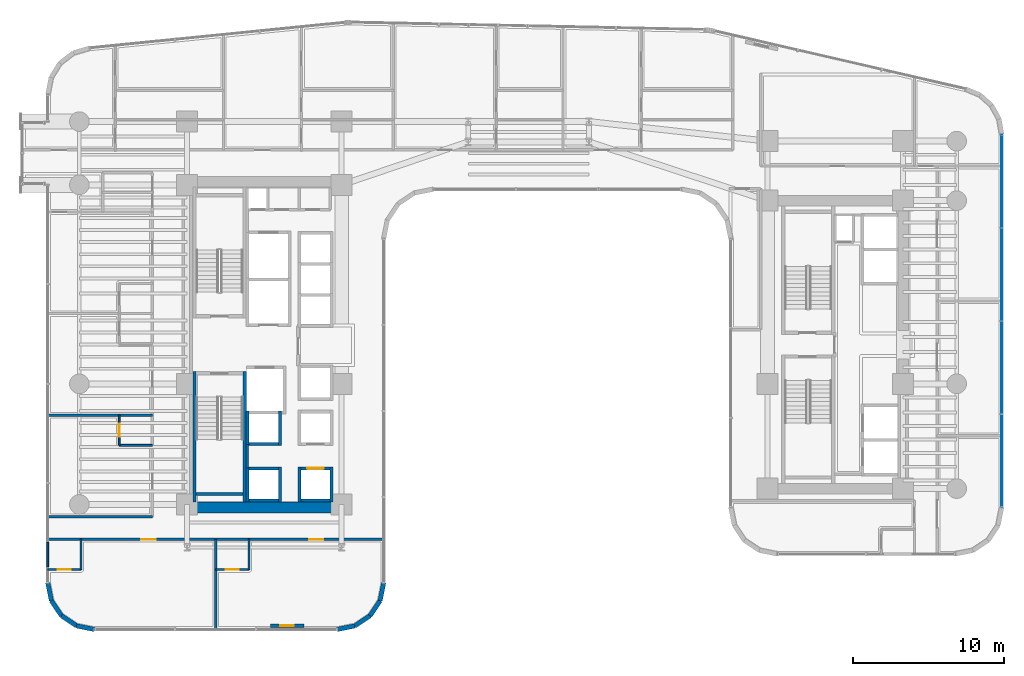
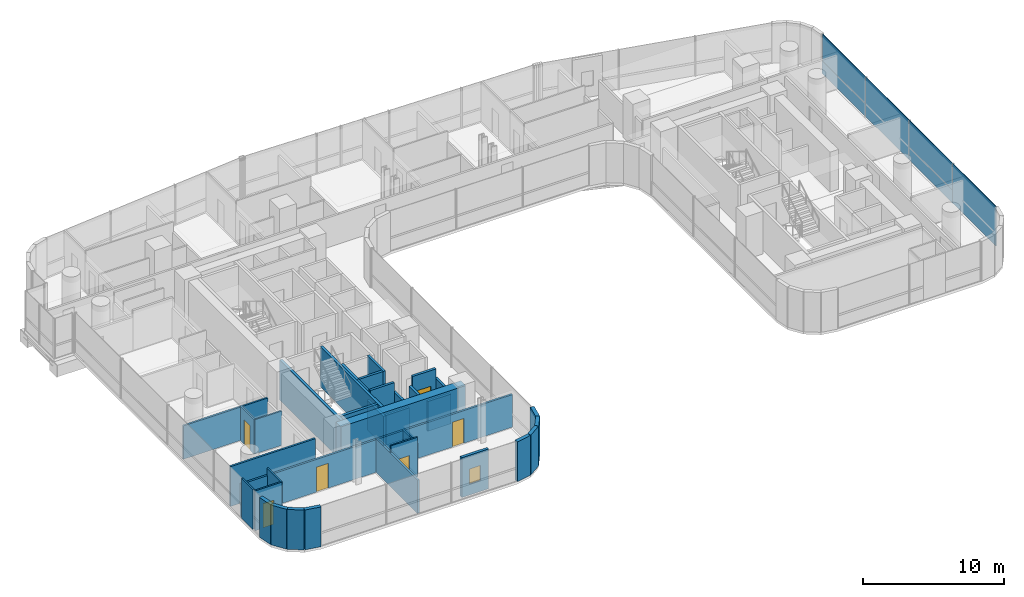
# One storey, part 31 of 42: 36 walls, 6 doors, 6 plates, 1 window, 7 openings, 1 element without a shape of its own.
"""IFC4 building model written with IfcOpenShell, lengths in metres."""

from ifc_helpers import new_model, si_unit, direction, frame, frame_2d, origin, origin_2d, place, context, subcontext, project, spatial, rectangle, extrude, source, transform, mapped, material, layer, layer_set, type_object, element, fill, aggregate, save


model = new_model("IFC4")

# Units and contexts
model_context = context("Model", 3, precision=1e-05, world=origin(), true_north=direction((0.0, 1.0)))
body_context = subcontext(model_context, "Body", "Model", "MODEL_VIEW")
ifc_project = project(units=[si_unit("LENGTHUNIT", "METRE"), si_unit("AREAUNIT", "SQUARE_METRE"), si_unit("VOLUMEUNIT", "CUBIC_METRE"), si_unit("PLANEANGLEUNIT", "RADIAN"), si_unit("MASSUNIT", "GRAM", prefix="KILO")], contexts=[model_context])

# Site, building, storey
site_placement = place(None, origin())
site = spatial("IfcSite", under=ifc_project, at=site_placement, CompositionType="ELEMENT")
building_placement = place(site_placement, origin())
building = spatial("IfcBuilding", under=site, at=building_placement, Name="Valdorenza Pilgrim Sanctuary Tower", CompositionType="ELEMENT")
storey_placement = place(building_placement, frame((0.0, 0.0, 55.60009765625)))
storey = spatial("IfcBuildingStorey", under=building, at=storey_placement, Name="L13", CompositionType="ELEMENT", Elevation=55.60009765625)

# Curtain wall, plates
ifc_material_1 = material(Name="Curtain-wall IGU glazing", Category="glass")
curtain_wall_type = type_object("IfcCurtainWallType", Name="CW-SYS-03", PredefinedType="NOTDEFINED", material=ifc_material_1)
curtain_wall_placement = place(storey_placement, origin())
curtain_wall = element("IfcCurtainWall", 1, at=curtain_wall_placement, inside=storey, type_object=curtain_wall_type, Name="L13 Curtain Wall CW-L13-1-21", PredefinedType="NOTDEFINED")
ifc_material_2 = material(Name="Honed travertine limestone", Category="masonry")
ifc_layer_1 = layer(ifc_material_2, 0.050048828125, Name="Honed travertine limestone")
ifc_layer_set_1 = layer_set([ifc_layer_1], Name="Honed travertine limestone")
plate_type_1 = type_object("IfcPlateType", Name="CW-SPN-TRV", PredefinedType="USERDEFINED", material=ifc_layer_set_1)
shared_shape_1 = source(origin(), body_context, "Body", "SweptSolid", [
    extrude(rectangle(XDim=6.16357421875, YDim=0.06005859375, at=origin_2d()), origin(), (0.0, 0.0, 1.0), 1.10009765625),
])
plate_1_placement = place(storey_placement, frame((31.389892578125, 10.853271484375, 0.009765625), z_axis=(0.0, 0.0, 1.0), x_axis=(0.0, -1.0, 0.0)))
plate_1 = element("IfcPlate", 2, at=plate_1_placement, type_object=plate_type_1, Name="CW-L13-1-21 Travertine Spandrel 1", ObjectType="SPANDREL", PredefinedType="USERDEFINED", context=body_context, shape_type="MappedRepresentation", body=[
    mapped(shared_shape_1, transform((0.0, 0.0, 0.0), x_axis=(1.0, 0.0, 0.0), y_axis=(0.0, 1.0, 0.0), z_axis=(0.0, 0.0, 1.0), scale=1.0)),
])
plate_2_placement = place(storey_placement, frame((31.389892578125, -1.513916015625, 0.009765625), z_axis=(0.0, 0.0, 1.0), x_axis=(0.0, -1.0, 0.0)))
plate_2 = element("IfcPlate", 3, at=plate_2_placement, type_object=plate_type_1, Name="CW-L13-1-21 Travertine Spandrel 3", ObjectType="SPANDREL", PredefinedType="USERDEFINED", context=body_context, shape_type="MappedRepresentation", body=[
    mapped(shared_shape_1, transform((0.0, 0.0, 0.0), x_axis=(1.0, 0.0, 0.0), y_axis=(0.0, 1.0, 0.0), z_axis=(0.0, 0.0, 1.0), scale=1.0)),
])
ifc_material_3 = material(Name="Ceramic-fritted low-E IGU glazing", Category="glass")
ifc_layer_2 = layer(ifc_material_3, 0.035888671875, Name="Ceramic-fritted low-E IGU glazing")
ifc_layer_set_2 = layer_set([ifc_layer_2], Name="Ceramic-fritted low-E IGU glazing")
plate_type_2 = type_object("IfcPlateType", Name="CW-GLZ-IGU", PredefinedType="USERDEFINED", material=ifc_layer_set_2)
shared_shape_2 = source(origin(), body_context, "Body", "SweptSolid", [
    extrude(rectangle(XDim=6.16357421875, YDim=0.050048828125, at=origin_2d()), origin(), (0.0, 0.0, 1.0), 2.320068359375),
])
plate_3_placement = place(storey_placement, frame((31.389892578125, 10.853271484375, 1.1298828125), z_axis=(0.0, 0.0, 1.0), x_axis=(0.0, -1.0, 0.0)))
plate_3 = element("IfcPlate", 4, at=plate_3_placement, type_object=plate_type_2, Name="CW-L13-1-21 Facade Panel 1", ObjectType="GLAZING", PredefinedType="USERDEFINED", context=body_context, shape_type="MappedRepresentation", body=[
    mapped(shared_shape_2, transform((0.0, 0.0, 0.0), x_axis=(1.0, 0.0, 0.0), y_axis=(0.0, 1.0, 0.0), z_axis=(0.0, 0.0, 1.0), scale=1.0)),
])
plate_4_placement = place(storey_placement, frame((31.389892578125, -1.513916015625, 1.1298828125), z_axis=(0.0, 0.0, 1.0), x_axis=(0.0, -1.0, 0.0)))
plate_4 = element("IfcPlate", 5, at=plate_4_placement, type_object=plate_type_2, Name="CW-L13-1-21 Facade Panel 3", ObjectType="GLAZING", PredefinedType="USERDEFINED", context=body_context, shape_type="MappedRepresentation", body=[
    mapped(shared_shape_2, transform((0.0, 0.0, 0.0), x_axis=(1.0, 0.0, 0.0), y_axis=(0.0, 1.0, 0.0), z_axis=(0.0, 0.0, 1.0), scale=1.0)),
])
shared_shape_3 = source(origin(), body_context, "Body", "SweptSolid", [
    extrude(rectangle(XDim=6.16357421875, YDim=0.050048828125, at=origin_2d()), origin(), (0.0, 0.0, 1.0), 3.43994140625),
])
plate_5_placement = place(storey_placement, frame((31.389892578125, 4.669677734375, 0.010009765625), z_axis=(0.0, 0.0, 1.0), x_axis=(0.0, -1.0, 0.0)))
plate_5 = element("IfcPlate", 6, at=plate_5_placement, type_object=plate_type_2, Name="CW-L13-1-21 Full-Height Facade Panel 2", ObjectType="GLAZING", PredefinedType="USERDEFINED", context=body_context, shape_type="MappedRepresentation", body=[
    mapped(shared_shape_3, transform((0.0, 0.0, 0.0), x_axis=(1.0, 0.0, 0.0), y_axis=(0.0, 1.0, 0.0), z_axis=(0.0, 0.0, 1.0), scale=1.0)),
])
plate_6_placement = place(storey_placement, frame((31.389892578125, -7.697509765625, 0.010009765625), z_axis=(0.0, 0.0, 1.0), x_axis=(0.0, -1.0, 0.0)))
plate_6 = element("IfcPlate", 7, at=plate_6_placement, type_object=plate_type_2, Name="CW-L13-1-21 Full-Height Facade Panel 4", ObjectType="GLAZING", PredefinedType="USERDEFINED", context=body_context, shape_type="MappedRepresentation", body=[
    mapped(shared_shape_3, transform((0.0, 0.0, 0.0), x_axis=(1.0, 0.0, 0.0), y_axis=(0.0, 1.0, 0.0), z_axis=(0.0, 0.0, 1.0), scale=1.0)),
])
aggregate(curtain_wall, [plate_1, plate_3, plate_5, plate_2, plate_4, plate_6])

# Wall
ifc_material_4 = material(Name="Acoustic twin-stud gypsum partition", Category="gypsum")
ifc_layer_3 = layer(ifc_material_4, 0.159912109375, Name="Acoustic twin-stud gypsum partition")
ifc_layer_set_3 = layer_set([ifc_layer_3], Name="Acoustic twin-stud gypsum partition")
wall_type_1 = type_object("IfcWallType", Name="WAL-COR-160", PredefinedType="PARTITIONING", material=ifc_layer_set_3)
wall_1_placement = place(storey_placement, frame((-18.64990234375, -8.179931640625, 0.0), z_axis=(0.0, 0.0, 1.0), x_axis=(0.0, 1.0, 0.0)))
element("IfcWall", 8, at=wall_1_placement, inside=storey, type_object=wall_type_1, Name="L13 Core A South Lift Hall West Wall", PredefinedType="PARTITIONING", context=body_context, shape_type="SweptSolid", body=[
    extrude(rectangle(XDim=1.559814453125, YDim=0.159912109375, at=frame_2d((0.77978515625, 0.0))), origin(), (0.0, 0.0, 1.0), 3.4599609375),
])

# Wall, openings, doors
wall_2_placement = place(storey_placement, frame((-31.889892578125, -12.919921875, 0.0), z_axis=(0.0, 0.0, 1.0), x_axis=(1.0, 0.0, 0.0)))
wall_2 = element("IfcWall", 9, at=wall_2_placement, inside=storey, type_object=wall_type_1, Name="L13 South Wing Corridor Wall", PredefinedType="PARTITIONING", context=body_context, shape_type="SweptSolid", body=[
    extrude(rectangle(XDim=22.27978515625, YDim=0.159912109375, at=frame_2d((11.139892578125, 0.0))), origin(), (0.0, 0.0, 1.0), 2.833984375),
])
opening_1_placement = place(wall_2_placement, frame((6.195068359375, 0.0, 0.0)))
opening_1 = element("IfcOpeningElement", 10, at=opening_1_placement, cuts=wall_2, Name="Opening DR-UN1", PredefinedType="OPENING", context=body_context, shape_type="SweptSolid", body=[
    extrude(rectangle(XDim=0.949951171875, YDim=2.14990234375, at=frame_2d((0.47509765625, 1.074951171875))), frame((0.0, 0.0947265625, 0.0), z_axis=(0.0, -1.0, 0.0), x_axis=(1.0, 0.0, 0.0)), (0.0, 0.0, 1.0), 0.189697265625),
])
opening_2_placement = place(wall_2_placement, frame((17.3349609375, 0.0, 0.0)))
opening_2 = element("IfcOpeningElement", 11, at=opening_2_placement, cuts=wall_2, Name="Opening DR-UN1", PredefinedType="OPENING", context=body_context, shape_type="SweptSolid", body=[
    extrude(rectangle(XDim=0.949951171875, YDim=2.14990234375, at=frame_2d((0.47509765625, 1.074951171875))), frame((0.0, 0.0947265625, 0.0), z_axis=(0.0, -1.0, 0.0), x_axis=(1.0, 0.0, 0.0)), (0.0, 0.0, 1.0), 0.189697265625),
])
ifc_material_5 = material(Name="Solid-core European oak timber", Category="wood")
door_type_1 = type_object("IfcDoorType", Name="DR-UNIT-950", OperationType="NOTDEFINED", PredefinedType="DOOR", material=ifc_material_5)
door_1_placement = place(opening_1_placement, frame((0.949951171875, 0.0, 0.0), z_axis=(0.0, 0.0, 1.0), x_axis=(-1.0, 0.0, 0.0)))
door_1 = element("IfcDoor", 12, at=door_1_placement, inside=storey, type_object=door_type_1, Name="L13 South Sanctuary Guest Room L13-S1A Entrance Door", OperationType="SINGLE_SWING_LEFT", OverallHeight=2.14990234375, OverallWidth=0.949951171875, PredefinedType="DOOR", context=body_context, shape_type="SweptSolid", body=[
    extrude(rectangle(XDim=0.949951171875, YDim=2.14990234375, at=frame_2d((0.47509765625, 1.074951171875))), frame((0.0, 0.02490234375, 0.0), z_axis=(0.0, -1.0, 0.0), x_axis=(1.0, 0.0, 0.0)), (0.0, 0.0, 1.0), 0.050048828125),
])
fill(opening_1, door_1)
door_2_placement = place(opening_2_placement, frame((0.949951171875, 0.0, 0.0), z_axis=(0.0, 0.0, 1.0), x_axis=(-1.0, 0.0, 0.0)))
door_2 = element("IfcDoor", 13, at=door_2_placement, inside=storey, type_object=door_type_1, Name="L13 South Sanctuary Guest Room L13-S1B Entrance Door", OperationType="SINGLE_SWING_LEFT", OverallHeight=2.14990234375, OverallWidth=0.949951171875, PredefinedType="DOOR", context=body_context, shape_type="SweptSolid", body=[
    extrude(rectangle(XDim=0.949951171875, YDim=2.14990234375, at=frame_2d((0.47509765625, 1.074951171875))), frame((0.0, 0.02490234375, 0.0), z_axis=(0.0, -1.0, 0.0), x_axis=(1.0, 0.0, 0.0)), (0.0, 0.0, 1.0), 0.050048828125),
])
fill(opening_2, door_2)

# Walls
wall_3_placement = place(storey_placement, frame((-31.889892578125, -11.419921875, 0.0), z_axis=(0.0, 0.0, 1.0), x_axis=(1.0, 0.0, 0.0)))
element("IfcWall", 14, at=wall_3_placement, inside=storey, type_object=wall_type_1, Name="L13 South-West Corridor North Wall", PredefinedType="PARTITIONING", context=body_context, shape_type="SweptSolid", body=[
    extrude(rectangle(XDim=6.93994140625, YDim=0.159912109375, at=frame_2d((3.469970703125, 0.0))), origin(), (0.0, 0.0, 1.0), 3.4599609375),
])
ifc_material_6 = material(Name="Concrete C60/75", Category="concrete")
ifc_layer_4 = layer(ifc_material_6, 0.699951171875, Name="Concrete C60/75")
ifc_layer_set_4 = layer_set([ifc_layer_4], Name="Concrete C60/75")
wall_type_2 = type_object("IfcWallType", Name="WAL-COR-700", PredefinedType="SHEAR", material=ifc_layer_set_4)
wall_4_placement = place(storey_placement, frame((-22.64990234375, -10.800048828125, 0.0), z_axis=(0.0, 0.0, 1.0), x_axis=(1.0, 0.0, 0.0)))
element("IfcWall", 15, at=wall_4_placement, inside=storey, type_object=wall_type_2, Name="L13 Split Core A Shear Wall S", PredefinedType="SHEAR", context=body_context, shape_type="SweptSolid", body=[
    extrude(rectangle(XDim=10.25, YDim=0.699951171875, at=frame_2d((5.125, 0.0))), origin(), (0.0, 0.0, 1.0), 3.4599609375),
])
ifc_layer_5 = layer(ifc_material_2, 0.300048828125, Name="Honed travertine limestone")
ifc_layer_set_5 = layer_set([ifc_layer_5], Name="Honed travertine limestone")
wall_type_3 = type_object("IfcWallType", Name="WAL-EXT-300", PredefinedType="SOLIDWALL", material=ifc_layer_set_5)
wall_5_placement = place(storey_placement, frame((-9.610107421875, -15.789306640625, 0.0), z_axis=(0.0, 0.0, 1.0), x_axis=(-0.194996050505, -0.980804027463, 0.0)))
element("IfcWall", 16, at=wall_5_placement, inside=storey, type_object=wall_type_3, Name="L13 Rounded Wind-Corner Stone Pier 42", PredefinedType="SOLIDWALL", context=body_context, shape_type="SweptSolid", body=[
    extrude(rectangle(XDim=1.2158203125, YDim=0.300048828125, at=frame_2d((0.60791015625, 0.0))), origin(), (0.0, 0.0, 1.0), 3.4599609375),
])
for number, where, z_axis, x_axis, name in (
    (17, (-9.84716796875, -16.981689453125, 0.0), (0.0, 0.0, 1.0), (-0.555635100982, -0.831426265255, 0.0), "L13 Rounded Wind-Corner Stone Pier 43"),
    (18, (-10.5166015625, -17.9833984375, 0.0), (0.0, 0.0, 1.0), (-0.831426265255, -0.555635100982, 0.0), "L13 Rounded Wind-Corner Stone Pier 44"),
):
    element("IfcWall", number, at=place(storey_placement, frame(where, z_axis=z_axis, x_axis=x_axis)), inside=storey, type_object=wall_type_3, Name=name, PredefinedType="SOLIDWALL", context=body_context, shape_type="SweptSolid", body=[
        extrude(rectangle(XDim=1.204833984375, YDim=0.300048828125, at=frame_2d((0.6025390625, 0.0))), origin(), (0.0, 0.0, 1.0), 3.4599609375),
    ])
wall_6_placement = place(storey_placement, frame((-11.518310546875, -18.65283203125, 0.0), z_axis=(0.0, 0.0, 1.0), x_axis=(-0.980804027463, -0.194996050505, 0.0)))
element("IfcWall", 19, at=wall_6_placement, inside=storey, type_object=wall_type_3, Name="L13 Rounded Wind-Corner Stone Pier 45", PredefinedType="SOLIDWALL", context=body_context, shape_type="SweptSolid", body=[
    extrude(rectangle(XDim=1.2158203125, YDim=0.300048828125, at=frame_2d((0.60791015625, 0.0))), origin(), (0.0, 0.0, 1.0), 3.4599609375),
])

# Wall, opening, window
wall_7_placement = place(storey_placement, frame((-14.910888671875, -18.64990234375, 0.0), z_axis=(0.0, 0.0, 1.0), x_axis=(-1.0, 0.0, 0.0)))
wall_7 = element("IfcWall", 20, at=wall_7_placement, inside=storey, type_object=wall_type_3, Name="L13 Operable Ventilation Sash Jamb Pier", PredefinedType="SOLIDWALL", context=body_context, shape_type="SweptSolid", body=[
    extrude(rectangle(XDim=2.199951171875, YDim=0.219970703125, at=frame_2d((1.10009765625, 0.0))), origin(), (0.0, 0.0, 1.0), 3.4599609375),
])
opening_3_placement = place(wall_7_placement, frame((0.64990234375, 0.0, 0.949951171875)))
opening_3 = element("IfcOpeningElement", 21, at=opening_3_placement, cuts=wall_7, Name="Opening WN-OP1", PredefinedType="OPENING", context=body_context, shape_type="SweptSolid", body=[
    extrude(rectangle(XDim=0.89990234375, YDim=1.300048828125, at=frame_2d((0.449951171875, 0.64990234375))), frame((0.0, 0.125, 0.0), z_axis=(0.0, -1.0, 0.0), x_axis=(1.0, 0.0, 0.0)), (0.0, 0.0, 1.0), 0.249755859375),
])
window_type = type_object("IfcWindowType", Name="WIN-OPN-900", PartitioningType="SINGLE_PANEL", PredefinedType="WINDOW", material=ifc_material_3)
window_placement = place(opening_3_placement, origin())
window = element("IfcWindow", 22, at=window_placement, inside=storey, type_object=window_type, Name="L13 Parallel-Pop-Out Operable Facade Panel", OverallHeight=1.300048828125, OverallWidth=0.89990234375, PartitioningType="SINGLE_PANEL", PredefinedType="WINDOW", context=body_context, shape_type="SweptSolid", body=[
    extrude(rectangle(XDim=0.89990234375, YDim=1.300048828125, at=frame_2d((0.449951171875, 0.64990234375))), frame((0.0, 0.030029296875, 0.0), z_axis=(0.0, -1.0, 0.0), x_axis=(1.0, 0.0, 0.0)), (0.0, 0.0, 1.0), 0.06005859375),
])
fill(opening_3, window)

# Walls
wall_8_placement = place(storey_placement, frame((-28.789306640625, -18.889892578125, 0.0), z_axis=(0.0, 0.0, 1.0), x_axis=(-0.980804027463, 0.194996050505, 0.0)))
element("IfcWall", 23, at=wall_8_placement, inside=storey, type_object=wall_type_3, Name="L13 Rounded Wind-Corner Stone Pier 47", PredefinedType="SOLIDWALL", context=body_context, shape_type="SweptSolid", body=[
    extrude(rectangle(XDim=1.2158203125, YDim=0.300048828125, at=frame_2d((0.60791015625, 0.0))), origin(), (0.0, 0.0, 1.0), 3.4599609375),
])
for number, where, z_axis, x_axis, name in (
    (24, (-29.981689453125, -18.65283203125, 0.0), (0.0, 0.0, 1.0), (-0.831426265255, 0.555635100982, 0.0), "L13 Rounded Wind-Corner Stone Pier 48"),
    (25, (-30.9833984375, -17.9833984375, 0.0), (0.0, 0.0, 1.0), (-0.555635100982, 0.831426265255, 0.0), "L13 Rounded Wind-Corner Stone Pier 49"),
):
    element("IfcWall", number, at=place(storey_placement, frame(where, z_axis=z_axis, x_axis=x_axis)), inside=storey, type_object=wall_type_3, Name=name, PredefinedType="SOLIDWALL", context=body_context, shape_type="SweptSolid", body=[
        extrude(rectangle(XDim=1.204833984375, YDim=0.300048828125, at=frame_2d((0.6025390625, 0.0))), origin(), (0.0, 0.0, 1.0), 3.4599609375),
    ])
wall_9_placement = place(storey_placement, frame((-31.65283203125, -16.981689453125, 0.0), z_axis=(0.0, 0.0, 1.0), x_axis=(-0.194996050505, 0.980804027463, 0.0)))
element("IfcWall", 26, at=wall_9_placement, inside=storey, type_object=wall_type_3, Name="L13 Rounded Wind-Corner Stone Pier 50", PredefinedType="SOLIDWALL", context=body_context, shape_type="SweptSolid", body=[
    extrude(rectangle(XDim=1.2158203125, YDim=0.300048828125, at=frame_2d((0.60791015625, 0.0))), origin(), (0.0, 0.0, 1.0), 3.4599609375),
])
ifc_material_7 = material(Name="Moisture-resistant gypsum partition", Category="gypsum")
ifc_layer_6 = layer(ifc_material_7, 0.1201171875, Name="Moisture-resistant gypsum partition")
ifc_layer_set_6 = layer_set([ifc_layer_6], Name="Moisture-resistant gypsum partition")
wall_type_4 = type_object("IfcWallType", Name="WAL-INT-120", PredefinedType="PARTITIONING", material=ifc_layer_set_6)
wall_10_placement = place(storey_placement, frame((-27.14990234375, -6.679931640625, 0.0), z_axis=(0.0, 0.0, 1.0), x_axis=(1.0, 0.0, 0.0)))
element("IfcWall", 27, at=wall_10_placement, inside=storey, type_object=wall_type_4, Name="L13 Sanctuary Guest Room L13-W1 En-suite South Wall", PredefinedType="PARTITIONING", context=body_context, shape_type="SweptSolid", body=[
    extrude(rectangle(XDim=2.199951171875, YDim=0.1201171875, at=frame_2d((1.10009765625, 0.0))), origin(), (0.0, 0.0, 1.0), 2.97900390625),
])

# Wall, opening, door
wall_11_placement = place(storey_placement, frame((-27.14990234375, -6.679931640625, 0.0), z_axis=(0.0, 0.0, 1.0), x_axis=(0.0, 1.0, 0.0)))
wall_11 = element("IfcWall", 28, at=wall_11_placement, inside=storey, type_object=wall_type_4, Name="L13 Sanctuary Guest Room L13-W1 En-suite Door Wall", PredefinedType="PARTITIONING", context=body_context, shape_type="SweptSolid", body=[
    extrude(rectangle(XDim=2.0, YDim=0.1201171875, at=frame_2d((1.0, 0.0))), origin(), (0.0, 0.0, 1.0), 2.97900390625),
])
opening_4_placement = place(wall_11_placement, frame((0.574951171875, 0.0, 0.0)))
opening_4 = element("IfcOpeningElement", 29, at=opening_4_placement, cuts=wall_11, Name="Opening DR-WC1", PredefinedType="OPENING", context=body_context, shape_type="SweptSolid", body=[
    extrude(rectangle(XDim=0.85009765625, YDim=2.10009765625, at=frame_2d((0.425048828125, 1.050048828125))), frame((0.0, 0.074951171875, 0.0), z_axis=(0.0, -1.0, 0.0), x_axis=(1.0, 0.0, 0.0)), (0.0, 0.0, 1.0), 0.14990234375),
])
ifc_material_8 = material(Name="Moisture-resistant lacquered timber", Category="wood")
door_type_2 = type_object("IfcDoorType", Name="DR-BATH-850", OperationType="NOTDEFINED", PredefinedType="DOOR", material=ifc_material_8)
door_3_placement = place(opening_4_placement, origin())
door_3 = element("IfcDoor", 30, at=door_3_placement, inside=storey, type_object=door_type_2, Name="L13 Sanctuary Guest Room L13-W1 En-suite Bathroom Door", OperationType="SINGLE_SWING_RIGHT", OverallHeight=2.10009765625, OverallWidth=0.85009765625, PredefinedType="DOOR", context=body_context, shape_type="SweptSolid", body=[
    extrude(rectangle(XDim=0.85009765625, YDim=2.10009765625, at=frame_2d((0.425048828125, 1.050048828125))), frame((0.0, 0.02490234375, 0.0), z_axis=(0.0, -1.0, 0.0), x_axis=(1.0, 0.0, 0.0)), (0.0, 0.0, 1.0), 0.050048828125),
])
fill(opening_4, door_3)

# Wall
wall_12_placement = place(storey_placement, frame((-29.68994140625, -14.919921875, 0.0), z_axis=(0.0, 0.0, 1.0), x_axis=(0.0, 1.0, 0.0)))
element("IfcWall", 31, at=wall_12_placement, inside=storey, type_object=wall_type_4, Name="L13 South Sanctuary Guest Room L13-S1A En-suite East Wall", PredefinedType="PARTITIONING", context=body_context, shape_type="SweptSolid", body=[
    extrude(rectangle(XDim=2.0, YDim=0.1201171875, at=frame_2d((1.0, 0.0))), origin(), (0.0, 0.0, 1.0), 3.4599609375),
])

# Wall, opening, door
wall_13_placement = place(storey_placement, frame((-31.889892578125, -14.919921875, 0.0), z_axis=(0.0, 0.0, 1.0), x_axis=(1.0, 0.0, 0.0)))
wall_13 = element("IfcWall", 32, at=wall_13_placement, inside=storey, type_object=wall_type_4, Name="L13 South Sanctuary Guest Room L13-S1A En-suite Door Wall", PredefinedType="PARTITIONING", context=body_context, shape_type="SweptSolid", body=[
    extrude(rectangle(XDim=2.199951171875, YDim=0.1201171875, at=frame_2d((1.10009765625, 0.0))), origin(), (0.0, 0.0, 1.0), 3.4599609375),
])
opening_5_placement = place(wall_13_placement, frame((0.675048828125, 0.0, 0.0)))
opening_5 = element("IfcOpeningElement", 33, at=opening_5_placement, cuts=wall_13, Name="Opening DR-WC1", PredefinedType="OPENING", context=body_context, shape_type="SweptSolid", body=[
    extrude(rectangle(XDim=0.85009765625, YDim=2.10009765625, at=frame_2d((0.425048828125, 1.050048828125))), frame((0.0, 0.074951171875, 0.0), z_axis=(0.0, -1.0, 0.0), x_axis=(1.0, 0.0, 0.0)), (0.0, 0.0, 1.0), 0.14990234375),
])
door_4_placement = place(opening_5_placement, origin())
door_4 = element("IfcDoor", 34, at=door_4_placement, inside=storey, type_object=door_type_2, Name="L13 South Sanctuary Guest Room L13-S1A En-suite Bathroom Door", OperationType="SINGLE_SWING_RIGHT", OverallHeight=2.10009765625, OverallWidth=0.85009765625, PredefinedType="DOOR", context=body_context, shape_type="SweptSolid", body=[
    extrude(rectangle(XDim=0.85009765625, YDim=2.10009765625, at=frame_2d((0.425048828125, 1.050048828125))), frame((0.0, 0.02490234375, 0.0), z_axis=(0.0, -1.0, 0.0), x_axis=(1.0, 0.0, 0.0)), (0.0, 0.0, 1.0), 0.050048828125),
])
fill(opening_5, door_4)

# Walls
wall_14_placement = place(storey_placement, frame((-31.889892578125, -14.739990234375, 0.0), z_axis=(0.0, 0.0, 1.0), x_axis=(0.0, 1.0, 0.0)))
element("IfcWall", 35, at=wall_14_placement, inside=storey, type_object=wall_type_4, Name="L13 SW-FL1A-ENS Enclosure Wall W", PredefinedType="PARTITIONING", context=body_context, shape_type="SweptSolid", body=[
    extrude(rectangle(XDim=1.619873046875, YDim=0.1201171875, at=frame_2d((0.81005859375, 0.0))), origin(), (0.0, 0.0, 1.0), 3.4599609375),
])
wall_15_placement = place(storey_placement, frame((-18.550048828125, -14.919921875, 0.0), z_axis=(0.0, 0.0, 1.0), x_axis=(0.0, 1.0, 0.0)))
element("IfcWall", 36, at=wall_15_placement, inside=storey, type_object=wall_type_4, Name="L13 South Sanctuary Guest Room L13-S1B En-suite East Wall", PredefinedType="PARTITIONING", context=body_context, shape_type="SweptSolid", body=[
    extrude(rectangle(XDim=2.0, YDim=0.1201171875, at=frame_2d((1.0, 0.0))), origin(), (0.0, 0.0, 1.0), 2.89599609375),
])

# Wall, opening, door
wall_16_placement = place(storey_placement, frame((-20.75, -14.919921875, 0.0), z_axis=(0.0, 0.0, 1.0), x_axis=(1.0, 0.0, 0.0)))
wall_16 = element("IfcWall", 37, at=wall_16_placement, inside=storey, type_object=wall_type_4, Name="L13 South Sanctuary Guest Room L13-S1B En-suite Door Wall", PredefinedType="PARTITIONING", context=body_context, shape_type="SweptSolid", body=[
    extrude(rectangle(XDim=2.199951171875, YDim=0.1201171875, at=frame_2d((1.10009765625, 0.0))), origin(), (0.0, 0.0, 1.0), 3.4599609375),
])
opening_6_placement = place(wall_16_placement, frame((0.675048828125, 0.0, 0.0)))
opening_6 = element("IfcOpeningElement", 38, at=opening_6_placement, cuts=wall_16, Name="Opening DR-WC1", PredefinedType="OPENING", context=body_context, shape_type="SweptSolid", body=[
    extrude(rectangle(XDim=0.85009765625, YDim=2.10009765625, at=frame_2d((0.425048828125, 1.050048828125))), frame((0.0, 0.074951171875, 0.0), z_axis=(0.0, -1.0, 0.0), x_axis=(1.0, 0.0, 0.0)), (0.0, 0.0, 1.0), 0.14990234375),
])
door_5_placement = place(opening_6_placement, origin())
door_5 = element("IfcDoor", 39, at=door_5_placement, inside=storey, type_object=door_type_2, Name="L13 South Sanctuary Guest Room L13-S1B En-suite Bathroom Door", OperationType="SINGLE_SWING_RIGHT", OverallHeight=2.10009765625, OverallWidth=0.85009765625, PredefinedType="DOOR", context=body_context, shape_type="SweptSolid", body=[
    extrude(rectangle(XDim=0.85009765625, YDim=2.10009765625, at=frame_2d((0.425048828125, 1.050048828125))), frame((0.0, 0.02490234375, 0.0), z_axis=(0.0, -1.0, 0.0), x_axis=(1.0, 0.0, 0.0)), (0.0, 0.0, 1.0), 0.050048828125),
])
fill(opening_6, door_5)

# Walls
ifc_material_9 = material(Name="Autoclaved aerated concrete blockwork", Category="masonry")
ifc_layer_7 = layer(ifc_material_9, 0.199951171875, Name="Autoclaved aerated concrete blockwork")
ifc_layer_set_7 = layer_set([ifc_layer_7], Name="Autoclaved aerated concrete blockwork")
wall_type_5 = type_object("IfcWallType", Name="WAL-SHF-200", PredefinedType="MOVABLE", material=ifc_layer_set_7)
for number, where, z_axis, x_axis, name in (
    (40, (-15.199951171875, -10.449951171875, 0.0), (0.0, 0.0, 1.0), (0.0, 1.0, 0.0), "L13 Lift PL-01 Hoistway Wall West"),
    (41, (-13.080078125, -10.449951171875, 0.0), (0.0, 0.0, 1.0), (0.0, 1.0, 0.0), "L13 Lift PL-01 Hoistway Wall East"),
):
    element("IfcWall", number, at=place(storey_placement, frame(where, z_axis=z_axis, x_axis=x_axis)), inside=storey, type_object=wall_type_5, Name=name, PredefinedType="MOVABLE", context=body_context, shape_type="SweptSolid", body=[
        extrude(rectangle(XDim=2.349853515625, YDim=0.199951171875, at=frame_2d((1.1748046875, 0.0))), origin(), (0.0, 0.0, 1.0), 2.5830078125),
    ])
wall_17_placement = place(storey_placement, frame((-15.10009765625, -10.35009765625, 0.0), z_axis=(0.0, 0.0, 1.0), x_axis=(1.0, 0.0, 0.0)))
element("IfcWall", 42, at=wall_17_placement, inside=storey, type_object=wall_type_5, Name="L13 Lift PL-01 Hoistway Wall South", PredefinedType="MOVABLE", context=body_context, shape_type="SweptSolid", body=[
    extrude(rectangle(XDim=1.920166015625, YDim=0.199951171875, at=frame_2d((0.9599609375, 0.0))), origin(), (0.0, 0.0, 1.0), 2.5830078125),
])

# Wall, opening, door
wall_18_placement = place(storey_placement, frame((-15.10009765625, -8.199951171875, 0.0), z_axis=(0.0, 0.0, 1.0), x_axis=(1.0, 0.0, 0.0)))
wall_18 = element("IfcWall", 43, at=wall_18_placement, inside=storey, type_object=wall_type_5, Name="L13 Lift PL-01 Hoistway Wall North", PredefinedType="MOVABLE", context=body_context, shape_type="SweptSolid", body=[
    extrude(rectangle(XDim=1.920166015625, YDim=0.199951171875, at=frame_2d((0.9599609375, 0.0))), origin(), (0.0, 0.0, 1.0), 3.4599609375),
])
opening_7_placement = place(wall_18_placement, frame((0.409912109375, 0.0, 0.0)))
opening_7 = element("IfcOpeningElement", 44, at=opening_7_placement, cuts=wall_18, Name="Opening LD-01", PredefinedType="OPENING", context=body_context, shape_type="SweptSolid", body=[
    extrude(rectangle(XDim=1.10009765625, YDim=2.10009765625, at=frame_2d((0.550048828125, 1.050048828125))), frame((0.0, 0.11474609375, 0.0), z_axis=(0.0, -1.0, 0.0), x_axis=(1.0, 0.0, 0.0)), (0.0, 0.0, 1.0), 0.229736328125),
])
ifc_material_10 = material(Name="Brushed stainless steel Grade 316", Category="steel")
door_type_3 = type_object("IfcDoorType", Name="DR-LFT-1100", OperationType="DOUBLE_DOOR_SLIDING", PredefinedType="DOOR", material=ifc_material_10)
door_6_placement = place(opening_7_placement, origin())
door_6 = element("IfcDoor", 45, at=door_6_placement, inside=storey, type_object=door_type_3, Name="L13 Lift PL-01 Sliding Landing Door", OperationType="DOUBLE_DOOR_SLIDING", OverallHeight=2.10009765625, OverallWidth=1.10009765625, PredefinedType="DOOR", context=body_context, shape_type="SweptSolid", body=[
    extrude(rectangle(XDim=1.10009765625, YDim=2.10009765625, at=frame_2d((0.550048828125, 1.050048828125))), frame((0.0, 0.02490234375, 0.0), z_axis=(0.0, -1.0, 0.0), x_axis=(1.0, 0.0, 0.0)), (0.0, 0.0, 1.0), 0.050048828125),
])
fill(opening_7, door_6)

# Walls
for number, where, z_axis, x_axis, name in (
    (46, (-18.64990234375, -10.449951171875, 0.0), (0.0, 0.0, 1.0), (0.0, 1.0, 0.0), "L13 Lift PL-05 Hoistway Wall West"),
    (47, (-16.5, -10.449951171875, 0.0), (0.0, 0.0, 1.0), (0.0, 1.0, 0.0), "L13 Lift PL-05 Hoistway Wall East"),
):
    element("IfcWall", number, at=place(storey_placement, frame(where, z_axis=z_axis, x_axis=x_axis)), inside=storey, type_object=wall_type_5, Name=name, PredefinedType="MOVABLE", context=body_context, shape_type="SweptSolid", body=[
        extrude(rectangle(XDim=2.349853515625, YDim=0.199951171875, at=frame_2d((1.1748046875, 0.0))), origin(), (0.0, 0.0, 1.0), 2.5830078125),
    ])
wall_19_placement = place(storey_placement, frame((-18.550048828125, -10.35009765625, 0.0), z_axis=(0.0, 0.0, 1.0), x_axis=(1.0, 0.0, 0.0)))
element("IfcWall", 48, at=wall_19_placement, inside=storey, type_object=wall_type_5, Name="L13 Lift PL-05 Hoistway Wall South", PredefinedType="MOVABLE", context=body_context, shape_type="SweptSolid", body=[
    extrude(rectangle(XDim=1.949951171875, YDim=0.199951171875, at=frame_2d((0.97509765625, 0.0))), origin(), (0.0, 0.0, 1.0), 2.5830078125),
])
wall_20_placement = place(storey_placement, frame((-18.550048828125, -8.199951171875, 0.0), z_axis=(0.0, 0.0, 1.0), x_axis=(1.0, 0.0, 0.0)))
element("IfcWall", 49, at=wall_20_placement, inside=storey, type_object=wall_type_5, Name="L13 Lift PL-05 Hoistway Wall North", PredefinedType="MOVABLE", context=body_context, shape_type="SweptSolid", body=[
    extrude(rectangle(XDim=1.949951171875, YDim=0.199951171875, at=frame_2d((0.97509765625, 0.0))), origin(), (0.0, 0.0, 1.0), 3.4599609375),
])
for number, where, z_axis, x_axis, name in (
    (50, (-18.64990234375, -6.699951171875, 0.0), (0.0, 0.0, 1.0), (0.0, 1.0, 0.0), "L13 Lift PL-11 Hoistway Wall West"),
    (51, (-16.5, -6.699951171875, 0.0), (0.0, 0.0, 1.0), (0.0, 1.0, 0.0), "L13 Lift PL-11 Hoistway Wall East"),
):
    element("IfcWall", number, at=place(storey_placement, frame(where, z_axis=z_axis, x_axis=x_axis)), inside=storey, type_object=wall_type_5, Name=name, PredefinedType="MOVABLE", context=body_context, shape_type="SweptSolid", body=[
        extrude(rectangle(XDim=2.300048828125, YDim=0.199951171875, at=frame_2d((1.14990234375, 0.0))), origin(), (0.0, 0.0, 1.0), 3.4599609375),
    ])
wall_21_placement = place(storey_placement, frame((-18.550048828125, -6.60009765625, 0.0), z_axis=(0.0, 0.0, 1.0), x_axis=(1.0, 0.0, 0.0)))
element("IfcWall", 52, at=wall_21_placement, inside=storey, type_object=wall_type_5, Name="L13 Lift PL-11 Hoistway Wall South", PredefinedType="MOVABLE", context=body_context, shape_type="SweptSolid", body=[
    extrude(rectangle(XDim=1.949951171875, YDim=0.199951171875, at=frame_2d((0.97509765625, 0.0))), origin(), (0.0, 0.0, 1.0), 3.4599609375),
])
ifc_material_11 = material(Name="Concrete C40/50", Category="concrete")
ifc_layer_8 = layer(ifc_material_11, 0.219970703125, Name="Concrete C40/50")
ifc_layer_set_8 = layer_set([ifc_layer_8], Name="Concrete C40/50")
wall_type_6 = type_object("IfcWallType", Name="WAL-STR-SHF-220", PredefinedType="SHEAR", material=ifc_layer_set_8)
for number, where, z_axis, x_axis, name in (
    (53, (-22.159912109375, -10.449951171875, 0.0), (0.0, 0.0, 1.0), (0.0, 1.0, 0.0), "L13 ST-A2 Structural Stairwell Wall W"),
    (54, (-18.830078125, -10.449951171875, 0.0), (0.0, 0.0, 1.0), (0.0, 1.0, 0.0), "L13 ST-A2 Structural Stairwell Wall E"),
):
    element("IfcWall", number, at=place(storey_placement, frame(where, z_axis=z_axis, x_axis=x_axis)), inside=storey, type_object=wall_type_6, Name=name, PredefinedType="SHEAR", context=body_context, shape_type="SweptSolid", body=[
        extrude(rectangle(XDim=8.669921875, YDim=0.219970703125, at=frame_2d((4.3349609375, 0.0))), origin(), (0.0, 0.0, 1.0), 3.4599609375),
    ])
wall_22_placement = place(storey_placement, frame((-22.050048828125, -9.909912109375, 0.0), z_axis=(0.0, 0.0, 1.0), x_axis=(1.0, 0.0, 0.0)))
element("IfcWall", 55, at=wall_22_placement, inside=storey, type_object=wall_type_6, Name="L13 ST-A2 Structural Stairwell Wall S", PredefinedType="SHEAR", context=body_context, shape_type="SweptSolid", body=[
    extrude(rectangle(XDim=3.110107421875, YDim=0.219970703125, at=frame_2d((1.55517578125, 0.0))), origin(), (0.0, 0.0, 1.0), 3.4599609375),
])
ifc_layer_9 = layer(ifc_material_4, 0.14990234375, Name="Acoustic twin-stud gypsum partition")
ifc_layer_set_9 = layer_set([ifc_layer_9], Name="Acoustic twin-stud gypsum partition")
wall_type_7 = type_object("IfcWallType", Name="WAL-UNT-150", PredefinedType="PARTITIONING", material=ifc_layer_set_9)
wall_23_placement = place(storey_placement, frame((-31.889892578125, -4.679931640625, 0.0), z_axis=(0.0, 0.0, 1.0), x_axis=(1.0, 0.0, 0.0)))
element("IfcWall", 56, at=wall_23_placement, inside=storey, type_object=wall_type_7, Name="L13 West Apt Demising 1", PredefinedType="PARTITIONING", context=body_context, shape_type="SweptSolid", body=[
    extrude(rectangle(XDim=6.93994140625, YDim=0.14990234375, at=frame_2d((3.469970703125, 0.0))), origin(), (0.0, 0.0, 1.0), 2.89599609375),
])
wall_24_placement = place(storey_placement, frame((-20.75, -18.889892578125, 0.0), z_axis=(0.0, 0.0, 1.0), x_axis=(0.0, 1.0, 0.0)))
element("IfcWall", 57, at=wall_24_placement, inside=storey, type_object=wall_type_7, Name="L13 South Sanctuary Guest Room L13-S1 Split Wall", PredefinedType="PARTITIONING", context=body_context, shape_type="SweptSolid", body=[
    extrude(rectangle(XDim=5.969970703125, YDim=0.14990234375, at=frame_2d((2.98486328125, 0.0))), origin(), (0.0, 0.0, 1.0), 2.89599609375),
])

save(model, "model.ifc")
